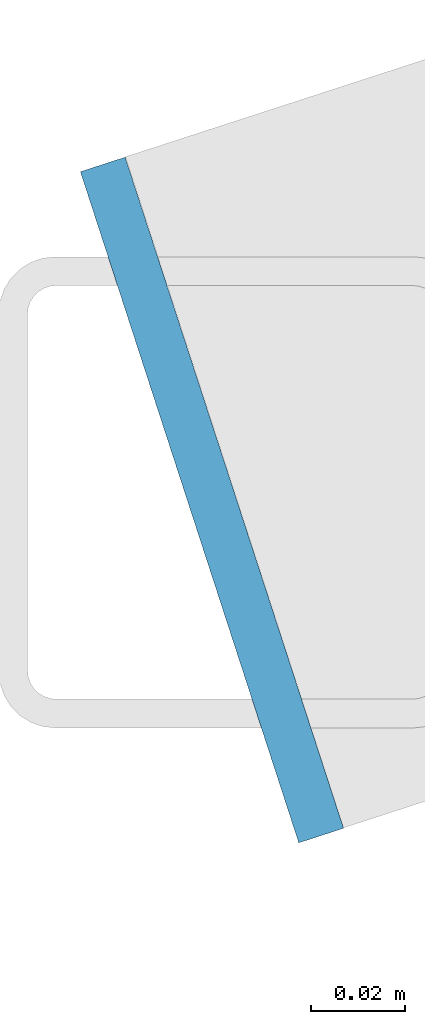
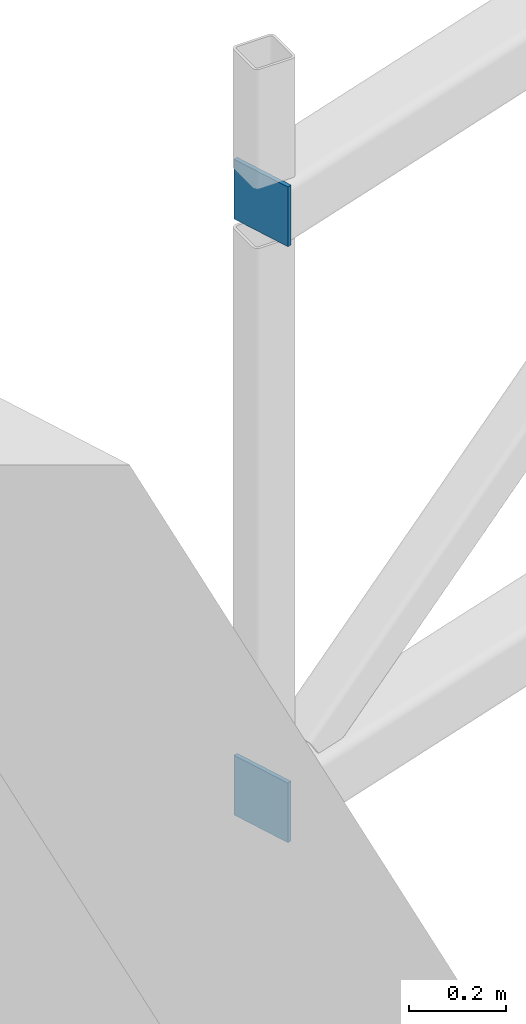
# One storey, part 67 of 81: 2 plates.
"""IFC4 building model written with IfcOpenShell, lengths in metres."""

from ifc_helpers import new_model, si_unit, direction, frame, origin, place, context, subcontext, project, spatial, polyline, outline, extrude, material, layer, layer_set, type_object, element, save


model = new_model("IFC4")

# Units and contexts
model_context = context("Model", 3, precision=1e-05, world=origin(), true_north=direction((0.0, 1.0)))
body_context = subcontext(model_context, "Body", "Model", "MODEL_VIEW")
ifc_project = project(units=[si_unit("LENGTHUNIT", "METRE"), si_unit("AREAUNIT", "SQUARE_METRE"), si_unit("VOLUMEUNIT", "CUBIC_METRE"), si_unit("PLANEANGLEUNIT", "RADIAN"), si_unit("MASSUNIT", "GRAM", prefix="KILO")], contexts=[model_context])

# Site, building, storey
site_placement = place(None, origin())
site = spatial("IfcSite", under=ifc_project, at=site_placement, CompositionType="ELEMENT")
building_placement = place(site_placement, origin())
building = spatial("IfcBuilding", under=site, at=building_placement, Name="Tuart Plaza Theatre", CompositionType="ELEMENT")
storey_placement = place(building_placement, frame((0.0, 0.0, 17.5)))
storey = spatial("IfcBuildingStorey", under=building, at=storey_placement, Name="L04", CompositionType="ELEMENT", Elevation=17.5)

# Plates
ifc_material = material(Name="Steel Grade C350L0", Category="steel")
ifc_layer = layer(ifc_material, 0.010009765625)
ifc_layer_set = layer_set([ifc_layer], Name="PLATE End cap 10 Steel Grade C350L0")
plate_type = type_object("IfcPlateType", Name="PLATE End cap 10 Steel Grade C350L0", PredefinedType="SHEET", material=ifc_layer_set)
for number, where, z_axis, x_axis, name in (
    (1, (44.475341796875, 62.206787109375, 2.683837890625), (-0.950938293792, -0.309380609282, 0.0), (-0.309380609282, 0.950938293792, 0.0), "EP41"),
    (2, (44.475341796875, 62.206787109375, 4.183837890625), (-0.950938293792, -0.309380609282, 0.0), (-0.309380609282, 0.950938293792, 0.0), "EP43"),
):
    element("IfcPlate", number, at=place(storey_placement, frame(where, z_axis=z_axis, x_axis=x_axis)), inside=storey, type_object=plate_type, Name=name, PredefinedType="SHEET", context=body_context, shape_type="SweptSolid", body=[
        extrude(outline(polyline([(0.0, 0.0), (0.14993415022904966, 0.0), (0.14993415022904966, 0.15014648437500003), (0.0, 0.15014648437500003), (0.0, 0.0)])), origin(), (0.0, 0.0, -1.0), 0.010009765625),
    ])

save(model, "model.ifc")
